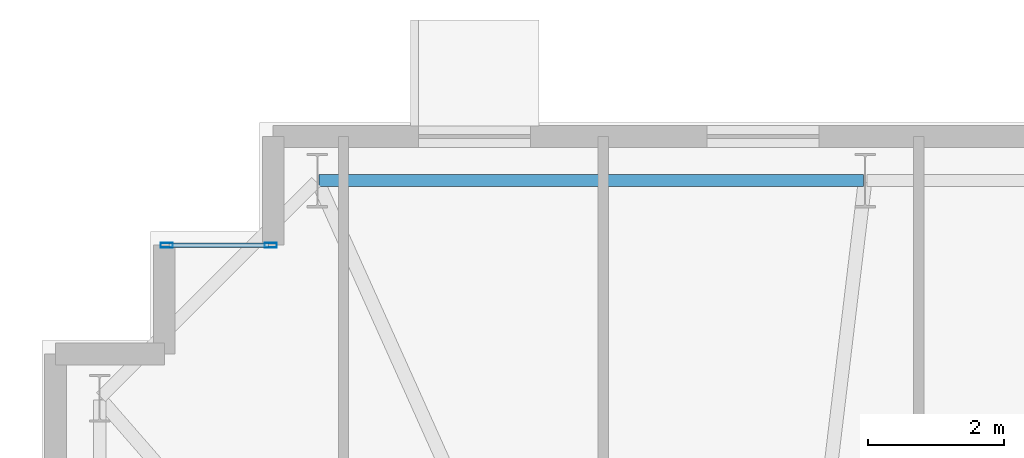
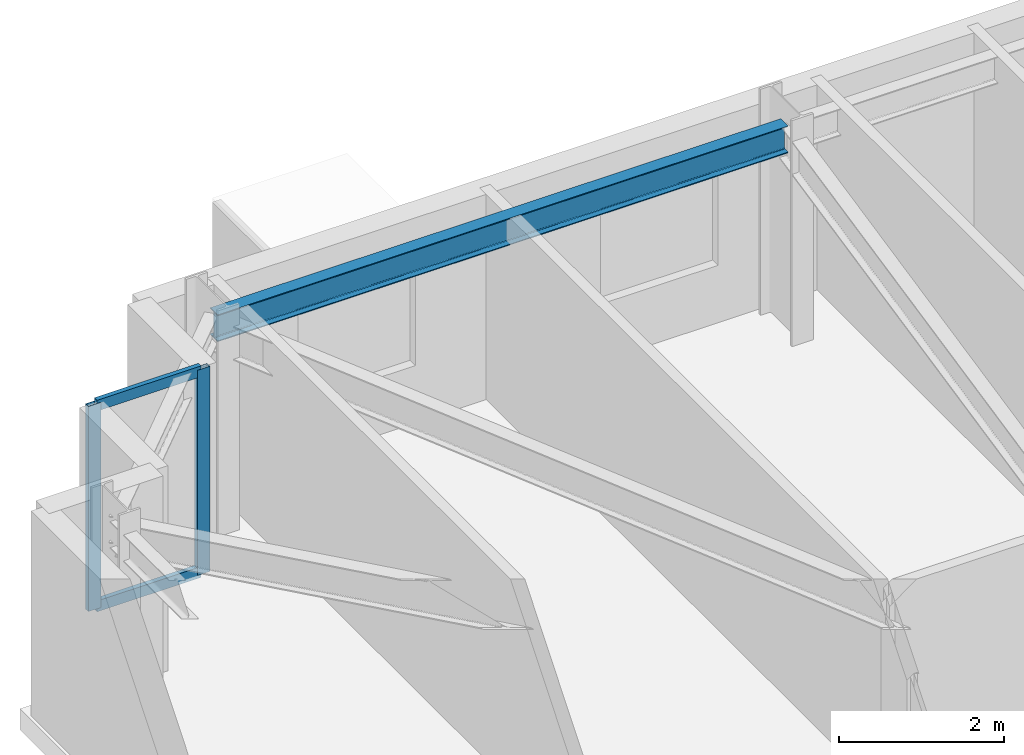
# One storey, part 7 of 17: 4 members, 1 beam, 1 element without a shape of its own.
"""IFC4 building model written with IfcOpenShell, lengths in metres."""

from ifc_helpers import new_model, si_unit, direction, frame, origin, origin_2d, place, context, subcontext, project, spatial, hollow_rectangle, i_section, extrude, material, layer, layer_set, material_profile, profile_set, type_object, element, aggregate, save


model = new_model("IFC4")

# Units and contexts
model_context = context("Model", 3, precision=1e-05, world=origin(), true_north=direction((0.0, 1.0)))
body_context = subcontext(model_context, "Body", "Model", "MODEL_VIEW")
ifc_project = project(units=[si_unit("LENGTHUNIT", "METRE"), si_unit("AREAUNIT", "SQUARE_METRE"), si_unit("VOLUMEUNIT", "CUBIC_METRE"), si_unit("PLANEANGLEUNIT", "RADIAN"), si_unit("MASSUNIT", "GRAM", prefix="KILO")], contexts=[model_context])

# Site, building, storey
site_placement = place(None, origin())
site = spatial("IfcSite", under=ifc_project, at=site_placement, CompositionType="ELEMENT")
building_placement = place(site_placement, origin())
building = spatial("IfcBuilding", under=site, at=building_placement, Name="Qobustan Lattice House", CompositionType="ELEMENT")
storey_placement = place(building_placement, frame((0.0, 0.0, 144.39990234375)))
storey = spatial("IfcBuildingStorey", under=building, at=storey_placement, Name="L40", CompositionType="ELEMENT", Elevation=144.39990234375)

# Beam
ifc_material_1 = material(Name="Steel S355", Category="steel")
ifc_material_profile_1 = material_profile(ifc_material_1, i_section(OverallWidth=0.179931640625, OverallDepth=0.39990234375, WebThickness=0.008544921875, FlangeThickness=0.013427734375, FilletRadius=0.02099609375, at=origin_2d()), Name="IPE400")
ifc_profile_set_1 = profile_set([ifc_material_profile_1], Name="Steel S355")
beam_type = type_object("IfcBeamType", Name="BM-SPD-IPE400", PredefinedType="SPANDREL", material=ifc_profile_set_1)
beam_placement = place(storey_placement, frame((-17.125, 19.75, 2.840087890625), z_axis=(-1.0, 0.0, 0.0), x_axis=(0.0, -1.0, 0.0)))
element("IfcBeam", 1, at=beam_placement, inside=storey, type_object=beam_type, Name="L40 perimeter spandrel N6-N7", PredefinedType="SPANDREL", context=body_context, shape_type="SweptSolid", body=[
    extrude(i_section(OverallWidth=0.179931640625, OverallDepth=0.39990234375, WebThickness=0.008544921875, FlangeThickness=0.013427734375, FilletRadius=0.02099609375, at=origin_2d()), origin(), (0.0, 0.0, 1.0), 8.0),
])

# Curtain wall, members
ifc_material_2 = material(Name="Anodised aluminium and low-E glazing", Category="aluminium")
ifc_layer = layer(ifc_material_2, 0.219970703125)
ifc_layer_set = layer_set([ifc_layer], Name="Anodised aluminium and low-E glazing")
curtain_wall_type = type_object("IfcCurtainWallType", Name="CW-FAC-02", PredefinedType="USERDEFINED", material=ifc_layer_set)
curtain_wall_placement = place(storey_placement, origin())
curtain_wall = element("IfcCurtainWall", 2, at=curtain_wall_placement, inside=storey, type_object=curtain_wall_type, Name="L40 serrated corner faceted glazing 8", ObjectType="CURTAIN WALL", PredefinedType="USERDEFINED")
ifc_material_3 = material(Name="Anodised aluminium EN AW-6063 T6", Category="aluminium")
ifc_material_profile_2 = material_profile(ifc_material_3, hollow_rectangle(XDim=0.070068359375, YDim=0.179931640625, WallThickness=0.00439453125, at=origin_2d()), Name="CWM-180x70")
ifc_profile_set_2 = profile_set([ifc_material_profile_2], Name="Anodised aluminium EN AW-6063 T6")
member_type_1 = type_object("IfcMemberType", Name="CWM-STD-180", PredefinedType="MULLION", material=ifc_profile_set_2)
member_1_placement = place(storey_placement, frame((-27.364990234375, 18.800048828125, 0.0), z_axis=(0.0, 0.0, 1.0), x_axis=(0.0, 1.0, 0.0)))
member_1 = element("IfcMember", 3, at=member_1_placement, type_object=member_type_1, Name="CW-F2 mullion 1", PredefinedType="MULLION", context=body_context, shape_type="SweptSolid", body=[
    extrude(hollow_rectangle(XDim=0.070068359375, YDim=0.179931640625, WallThickness=0.00439453125, at=origin_2d()), origin(), (0.0, 0.0, 1.0), 3.0400390625),
])
member_2_placement = place(storey_placement, frame((-25.8349609375, 18.800048828125, 0.0), z_axis=(0.0, 0.0, 1.0), x_axis=(0.0, 1.0, 0.0)))
member_2 = element("IfcMember", 4, at=member_2_placement, type_object=member_type_1, Name="CW-F2 mullion 2", PredefinedType="MULLION", context=body_context, shape_type="SweptSolid", body=[
    extrude(hollow_rectangle(XDim=0.070068359375, YDim=0.179931640625, WallThickness=0.00439453125, at=origin_2d()), origin(), (0.0, 0.0, 1.0), 3.0400390625),
])
ifc_material_4 = material(Name="Anodised aluminium EN AW-6063 T6", Category="aluminium")
ifc_material_profile_3 = material_profile(ifc_material_4, hollow_rectangle(XDim=0.06494140625, YDim=0.159912109375, WallThickness=0.00390625, at=origin_2d()), Name="CWT-160x65")
ifc_profile_set_3 = profile_set([ifc_material_profile_3], Name="Anodised aluminium EN AW-6063 T6")
member_type_2 = type_object("IfcMemberType", Name="CWT-HOR-160", PredefinedType="USERDEFINED", material=ifc_profile_set_3)
member_3_placement = place(storey_placement, frame((-27.330078125, 18.800048828125, 0.03271484375), z_axis=(1.0, 0.0, 0.0), x_axis=(0.0, 1.0, 0.0)))
member_3 = element("IfcMember", 5, at=member_3_placement, type_object=member_type_2, Name="CW-F2 transom 1.1", ObjectType="TRANSOM", PredefinedType="USERDEFINED", context=body_context, shape_type="SweptSolid", body=[
    extrude(hollow_rectangle(XDim=0.06494140625, YDim=0.159912109375, WallThickness=0.00390625, at=origin_2d()), origin(), (0.0, 0.0, 1.0), 1.4599609375),
])
member_4_placement = place(storey_placement, frame((-27.330078125, 18.800048828125, 3.007568359375), z_axis=(1.0, 0.0, 0.0), x_axis=(0.0, 1.0, 0.0)))
member_4 = element("IfcMember", 6, at=member_4_placement, type_object=member_type_2, Name="CW-F2 transom 1.2", ObjectType="TRANSOM", PredefinedType="USERDEFINED", context=body_context, shape_type="SweptSolid", body=[
    extrude(hollow_rectangle(XDim=0.06494140625, YDim=0.159912109375, WallThickness=0.00390625, at=origin_2d()), origin(), (0.0, 0.0, 1.0), 1.4599609375),
])
aggregate(curtain_wall, [member_1, member_2, member_3, member_4])

save(model, "model.ifc")
